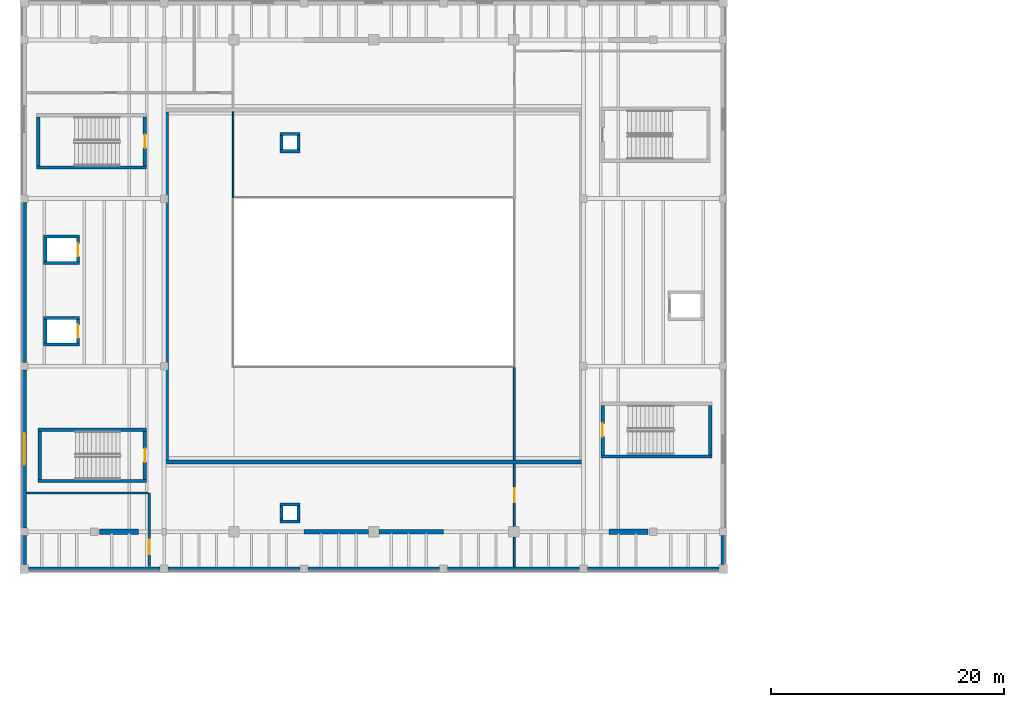
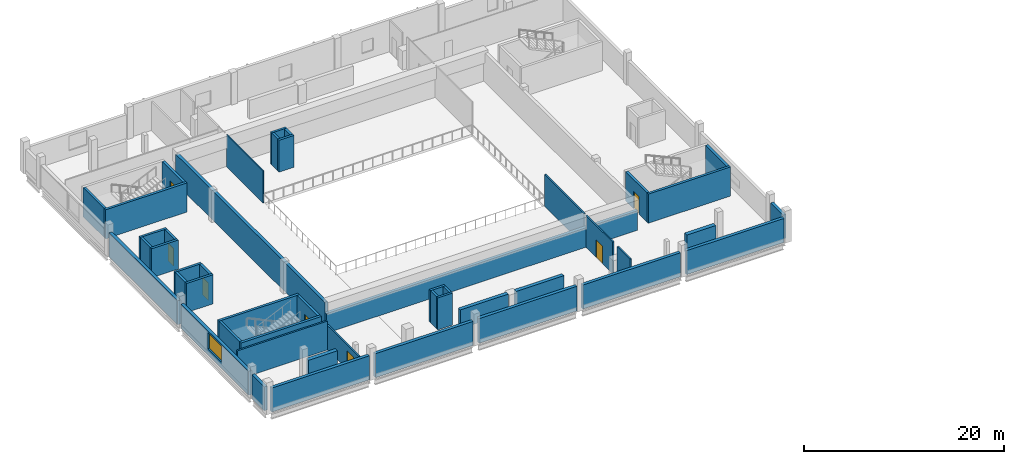
# One storey, part 7 of 19: 47 walls, 7 doors, 1 window, 8 openings.
"""IFC4 building model written with IfcOpenShell, lengths in metres."""

from ifc_helpers import new_model, si_unit, direction, frame, frame_2d, origin, place, context, subcontext, project, spatial, rectangle, extrude, material, layer, layer_set, type_object, element, fill, save


model = new_model("IFC4")

# Units and contexts
model_context = context("Model", 3, precision=1e-05, world=origin(), true_north=direction((0.0, 1.0)))
body_context = subcontext(model_context, "Body", "Model", "MODEL_VIEW")
ifc_project = project(units=[si_unit("LENGTHUNIT", "METRE"), si_unit("AREAUNIT", "SQUARE_METRE"), si_unit("VOLUMEUNIT", "CUBIC_METRE"), si_unit("PLANEANGLEUNIT", "RADIAN"), si_unit("MASSUNIT", "GRAM", prefix="KILO")], contexts=[model_context])

# Site, building, storey
site_placement = place(None, origin())
site = spatial("IfcSite", under=ifc_project, at=site_placement, CompositionType="ELEMENT")
building_placement = place(site_placement, origin())
building = spatial("IfcBuilding", under=site, at=building_placement, Name="Kelmvaro Bay Concert Hall", CompositionType="ELEMENT")
storey_placement = place(building_placement, frame((0.0, 0.0, 18.300048828125)))
storey = spatial("IfcBuildingStorey", under=building, at=storey_placement, Name="L04", CompositionType="ELEMENT", Elevation=18.300048828125)

# Wall
ifc_material_1 = material(Name="Acoustic Gypsum Board on Galvanised Steel Studs", Category="steel")
ifc_layer_1 = layer(ifc_material_1, 0.169921875)
ifc_layer_set_1 = layer_set([ifc_layer_1], Name="Acoustic Gypsum Board on Galvanised Steel Studs")
wall_type_1 = type_object("IfcWallType", Name="Corridor Fire Compartment Partition 170", PredefinedType="PARTITIONING", material=ifc_layer_set_1)
wall_1_placement = place(storey_placement, frame((42.080078125, 65.590087890625, 0.0), z_axis=(0.0, 0.0, 1.0), x_axis=(0.0, 1.0, 0.0)))
element("IfcWall", 1, at=wall_1_placement, inside=storey, type_object=wall_type_1, Name="L04 Interior Partition PT-L04-0332", PredefinedType="PARTITIONING", context=body_context, shape_type="SweptSolid", body=[
    extrude(rectangle(XDim=2.531982421875, YDim=0.169921875, at=frame_2d((1.26611328125, 0.0))), origin(), (0.0, 0.0, 1.0), 3.89990234375),
])

# Wall, opening, door
wall_2_placement = place(storey_placement, frame((42.080078125, 69.0380859375, 0.0), z_axis=(0.0, 0.0, 1.0), x_axis=(0.0, 1.0, 0.0)))
wall_2 = element("IfcWall", 2, at=wall_2_placement, inside=storey, type_object=wall_type_1, Name="L04 Interior Partition PT-L04-0333", PredefinedType="PARTITIONING", context=body_context, shape_type="SweptSolid", body=[
    extrude(rectangle(XDim=5.35693359375, YDim=0.169921875, at=frame_2d((2.678466796875, 0.0))), origin(), (0.0, 0.0, 1.0), 3.89990234375),
])
opening_1_placement = place(wall_2_placement, frame((2.068603515625, 0.0, 0.0)))
opening_1 = element("IfcOpeningElement", 3, at=opening_1_placement, cuts=wall_2, Name="Opening ID-ST2", PredefinedType="OPENING", context=body_context, shape_type="SweptSolid", body=[
    extrude(rectangle(XDim=1.219970703125, YDim=2.179931640625, at=frame_2d((0.60986328125, 1.08984375))), frame((0.0, 0.094970703125, 0.0), z_axis=(0.0, -1.0, 0.0), x_axis=(1.0, 0.0, 0.0)), (0.0, 0.0, 1.0), 0.18994140625),
])
ifc_material_2 = material(Name="Acoustic Oak and Fire Glass", Category="glass")
door_type_1 = type_object("IfcDoorType", Name="Core Lobby Smoke Control Door 1220x2180", OperationType="NOTDEFINED", PredefinedType="DOOR", material=ifc_material_2)
door_1_placement = place(opening_1_placement, origin())
door_1 = element("IfcDoor", 4, at=door_1_placement, inside=storey, type_object=door_type_1, Name="L04 Interior Door DR-INT-L04-0196", OperationType="SINGLE_SWING_RIGHT", OverallHeight=2.179931640625, OverallWidth=1.219970703125, PredefinedType="DOOR", context=body_context, shape_type="SweptSolid", body=[
    extrude(rectangle(XDim=1.219970703125, YDim=2.179931640625, at=frame_2d((0.60986328125, 1.08984375))), frame((0.0, 0.02490234375, 0.0), z_axis=(0.0, -1.0, 0.0), x_axis=(1.0, 0.0, 0.0)), (0.0, 0.0, 1.0), 0.050048828125),
])
fill(opening_1, door_1)

# Wall
wall_3_placement = place(storey_placement, frame((42.080078125, 74.764892578125, 0.0), z_axis=(0.0, 0.0, 1.0), x_axis=(0.0, 1.0, 0.0)))
element("IfcWall", 5, at=wall_3_placement, inside=storey, type_object=wall_type_1, Name="L04 Interior Partition PT-L04-0334", PredefinedType="PARTITIONING", context=body_context, shape_type="SweptSolid", body=[
    extrude(rectangle(XDim=7.920166015625, YDim=0.169921875, at=frame_2d((3.9599609375, 0.0))), origin(), (0.0, 0.0, 1.0), 3.89990234375),
])

# Wall, opening, door
ifc_material_3 = material(Name="Acoustic Gypsum Board on Galvanised Steel Studs", Category="steel")
ifc_layer_2 = layer(ifc_material_3, 0.199951171875)
ifc_layer_set_2 = layer_set([ifc_layer_2], Name="Acoustic Gypsum Board on Galvanised Steel Studs")
wall_type_2 = type_object("IfcWallType", Name="Double-Stud Acoustic Studio Partition 200", PredefinedType="PARTITIONING", material=ifc_layer_set_2)
wall_4_placement = place(storey_placement, frame((10.719970703125, 65.590087890625, 0.0), z_axis=(0.0, 0.0, 1.0), x_axis=(0.0, 1.0, 0.0)))
wall_4 = element("IfcWall", 6, at=wall_4_placement, inside=storey, type_object=wall_type_2, Name="L04 Interior Partition PT-L04-0331", PredefinedType="PARTITIONING", context=body_context, shape_type="SweptSolid", body=[
    extrude(rectangle(XDim=6.3349609375, YDim=0.199951171875, at=frame_2d((3.16748046875, 0.0))), origin(), (0.0, 0.0, 1.0), 2.995849609375),
])
opening_2_placement = place(wall_4_placement, frame((1.046875, 0.0, 0.0)))
opening_2 = element("IfcOpeningElement", 7, at=opening_2_placement, cuts=wall_4, Name="Opening ID-ST3", PredefinedType="OPENING", context=body_context, shape_type="SweptSolid", body=[
    extrude(rectangle(XDim=1.280029296875, YDim=2.260009765625, at=frame_2d((0.64013671875, 1.1298828125))), frame((0.0, 0.10986328125, 0.0), z_axis=(0.0, -1.0, 0.0), x_axis=(1.0, 0.0, 0.0)), (0.0, 0.0, 1.0), 0.219970703125),
])
ifc_material_4 = material(Name="Acoustic Laminated Steel Core", Category="steel")
door_type_2 = type_object("IfcDoorType", Name="Soundtrack Studio Heavy Door 1280x2260", OperationType="NOTDEFINED", PredefinedType="DOOR", material=ifc_material_4)
door_2_placement = place(opening_2_placement, origin())
door_2 = element("IfcDoor", 8, at=door_2_placement, inside=storey, type_object=door_type_2, Name="L04 Interior Door DR-INT-L04-0195", OperationType="SINGLE_SWING_LEFT", OverallHeight=2.260009765625, OverallWidth=1.280029296875, PredefinedType="DOOR", context=body_context, shape_type="SweptSolid", body=[
    extrude(rectangle(XDim=1.280029296875, YDim=2.260009765625, at=frame_2d((0.64013671875, 1.1298828125))), frame((0.0, 0.02490234375, 0.0), z_axis=(0.0, -1.0, 0.0), x_axis=(1.0, 0.0, 0.0)), (0.0, 0.0, 1.0), 0.050048828125),
])
fill(opening_2, door_2)

# Walls
wall_5_placement = place(storey_placement, frame((0.18994140625, 71.919921875, 0.0), z_axis=(0.0, 0.0, 1.0), x_axis=(1.0, 0.0, 0.0)))
element("IfcWall", 9, at=wall_5_placement, inside=storey, type_object=wall_type_2, Name="L04 Interior Partition PT-L04-0343", PredefinedType="PARTITIONING", context=body_context, shape_type="SweptSolid", body=[
    extrude(rectangle(XDim=10.420166015625, YDim=0.199951171875, at=frame_2d((5.2099609375, 0.0))), origin(), (0.0, 0.0, 1.0), 3.5400390625),
])
ifc_material_5 = material(Name="Concrete C40/50", Category="concrete")
ifc_layer_3 = layer(ifc_material_5, 0.35009765625)
ifc_layer_set_3 = layer_set([ifc_layer_3], Name="Concrete C40/50")
wall_type_3 = type_object("IfcWallType", Name="Inner Floating Box Shear Wall 350", PredefinedType="SHEAR", material=ifc_layer_set_3)
wall_6_placement = place(storey_placement, frame((12.0048828125, 74.580078125, 0.0), z_axis=(0.0, 0.0, 1.0), x_axis=(1.0, 0.0, 0.0)))
element("IfcWall", 10, at=wall_6_placement, inside=storey, type_object=wall_type_3, Name="L04 V1 Acoustic Inner Box Wall S", PredefinedType="SHEAR", context=body_context, shape_type="SweptSolid", body=[
    extrude(rectangle(XDim=35.990234375, YDim=0.35009765625, at=frame_2d((17.9951171875, 0.0))), origin(), (0.0, 0.0, 1.0), 2.389892578125),
])
wall_7_placement = place(storey_placement, frame((12.179931640625, 74.7548828125, 0.0), z_axis=(0.0, 0.0, 1.0), x_axis=(0.0, 1.0, 0.0)))
element("IfcWall", 11, at=wall_7_placement, inside=storey, type_object=wall_type_3, Name="L04 V1 Acoustic Inner Box Wall W", PredefinedType="SHEAR", context=body_context, shape_type="SweptSolid", body=[
    extrude(rectangle(XDim=29.89013671875, YDim=0.35009765625, at=frame_2d((14.945068359375, 0.0))), origin(), (0.0, 0.0, 1.0), 3.56005859375),
])
ifc_material_6 = material(Name="Precast Concrete C40/50", Category="concrete")
ifc_layer_4 = layer(ifc_material_6, 0.340087890625)
ifc_layer_set_4 = layer_set([ifc_layer_4], Name="Precast Concrete C40/50")
wall_type_4 = type_object("IfcWallType", Name="Main Hall Faceted Precast Wall 340", PredefinedType="SOLIDWALL", material=ifc_layer_set_4)
wall_8_placement = place(storey_placement, frame((60.0, 68.2548828125, 0.0), z_axis=(0.0, 0.0, 1.0), x_axis=(0.0, -1.0, 0.0)))
element("IfcWall", 12, at=wall_8_placement, inside=storey, type_object=wall_type_4, Name="L04 Exterior Wall EW-L04-0073", PredefinedType="SOLIDWALL", context=body_context, shape_type="SweptSolid", body=[
    extrude(rectangle(XDim=2.47998046875, YDim=0.340087890625, at=frame_2d((1.239990234375, 0.0))), origin(), (0.0, 0.0, 1.0), 2.927978515625),
])
ifc_material_7 = material(Name="Concrete C40/50", Category="concrete")
ifc_layer_5 = layer(ifc_material_7, 0.449951171875)
ifc_layer_set_5 = layer_set([ifc_layer_5], Name="Concrete C40/50")
wall_type_5 = type_object("IfcWallType", Name="Outer Acoustic Box Shear Wall 450", PredefinedType="SHEAR", material=ifc_layer_set_5)
for number, where, z_axis, x_axis, name in (
    (13, (6.449951171875, 68.580078125, 0.0), (0.0, 0.0, 1.0), (1.0, 0.0, 0.0), "L04 Shell Springing Shear Wall S1"),
    (14, (50.199951171875, 68.580078125, 0.0), (0.0, 0.0, 1.0), (1.0, 0.0, 0.0), "L04 Shell Springing Shear Wall S4"),
):
    element("IfcWall", number, at=place(storey_placement, frame(where, z_axis=z_axis, x_axis=x_axis)), inside=storey, type_object=wall_type_5, Name=name, PredefinedType="SHEAR", context=body_context, shape_type="SweptSolid", body=[
        extrude(rectangle(XDim=3.35009765625, YDim=0.449951171875, at=frame_2d((1.675048828125, 0.0))), origin(), (0.0, 0.0, 1.0), 2.300048828125),
    ])
ifc_material_8 = material(Name="Concrete C40/50", Category="concrete")
ifc_layer_6 = layer(ifc_material_8, 0.27001953125)
ifc_layer_set_6 = layer_set([ifc_layer_6], Name="Concrete C40/50")
wall_type_6 = type_object("IfcWallType", Name="Secondary Shaft Shear Wall 270", PredefinedType="SHEAR", material=ifc_layer_set_6)
for number, where, z_axis, x_axis, name in (
    (15, (21.929931640625, 69.465087890625, 0.0), (0.0, 0.0, 1.0), (1.0, 0.0, 0.0), "L04 Service Riser Shaft Wall 157-S"),
    (16, (21.929931640625, 70.93505859375, 0.0), (0.0, 0.0, 1.0), (1.0, 0.0, 0.0), "L04 Service Riser Shaft Wall 158-N"),
):
    element("IfcWall", number, at=place(storey_placement, frame(where, z_axis=z_axis, x_axis=x_axis)), inside=storey, type_object=wall_type_6, Name=name, PredefinedType="SHEAR", context=body_context, shape_type="SweptSolid", body=[
        extrude(rectangle(XDim=1.739990234375, YDim=0.27001953125, at=frame_2d((0.8701171875, 0.0))), origin(), (0.0, 0.0, 1.0), 3.89990234375),
    ])
for number, where, z_axis, x_axis, name in (
    (17, (22.06494140625, 69.60009765625, 0.0), (0.0, 0.0, 1.0), (0.0, 1.0, 0.0), "L04 Service Riser Shaft Wall 159-W"),
    (18, (23.534912109375, 69.60009765625, 0.0), (0.0, 0.0, 1.0), (0.0, 1.0, 0.0), "L04 Service Riser Shaft Wall 160-E"),
):
    element("IfcWall", number, at=place(storey_placement, frame(where, z_axis=z_axis, x_axis=x_axis)), inside=storey, type_object=wall_type_6, Name=name, PredefinedType="SHEAR", context=body_context, shape_type="SweptSolid", body=[
        extrude(rectangle(XDim=1.199951171875, YDim=0.27001953125, at=frame_2d((0.60009765625, 0.0))), origin(), (0.0, 0.0, 1.0), 3.89990234375),
    ])
for number, where, z_axis, x_axis, name in (
    (19, (21.929931640625, 101.264892578125, 0.0), (0.0, 0.0, 1.0), (1.0, 0.0, 0.0), "L04 Service Riser Shaft Wall 161-S"),
    (20, (21.929931640625, 102.735107421875, 0.0), (0.0, 0.0, 1.0), (1.0, 0.0, 0.0), "L04 Service Riser Shaft Wall 162-N"),
):
    element("IfcWall", number, at=place(storey_placement, frame(where, z_axis=z_axis, x_axis=x_axis)), inside=storey, type_object=wall_type_6, Name=name, PredefinedType="SHEAR", context=body_context, shape_type="SweptSolid", body=[
        extrude(rectangle(XDim=1.739990234375, YDim=0.27001953125, at=frame_2d((0.8701171875, 0.0))), origin(), (0.0, 0.0, 1.0), 3.89990234375),
    ])
for number, where, z_axis, x_axis, name in (
    (21, (22.06494140625, 101.39990234375, 0.0), (0.0, 0.0, 1.0), (0.0, 1.0, 0.0), "L04 Service Riser Shaft Wall 163-W"),
    (22, (23.534912109375, 101.39990234375, 0.0), (0.0, 0.0, 1.0), (0.0, 1.0, 0.0), "L04 Service Riser Shaft Wall 164-E"),
):
    element("IfcWall", number, at=place(storey_placement, frame(where, z_axis=z_axis, x_axis=x_axis)), inside=storey, type_object=wall_type_6, Name=name, PredefinedType="SHEAR", context=body_context, shape_type="SweptSolid", body=[
        extrude(rectangle(XDim=1.2001953125, YDim=0.27001953125, at=frame_2d((0.60009765625, 0.0))), origin(), (0.0, 0.0, 1.0), 3.89990234375),
    ])
for number, where, z_axis, x_axis, name in (
    (23, (1.655029296875, 84.6650390625, 0.0), (0.0, 0.0, 1.0), (1.0, 0.0, 0.0), "L04 LF-01 Lift Shaft Wall S"),
    (24, (1.655029296875, 86.93505859375, 0.0), (0.0, 0.0, 1.0), (1.0, 0.0, 0.0), "L04 LF-01 Lift Shaft Wall N"),
):
    element("IfcWall", number, at=place(storey_placement, frame(where, z_axis=z_axis, x_axis=x_axis)), inside=storey, type_object=wall_type_6, Name=name, PredefinedType="SHEAR", context=body_context, shape_type="SweptSolid", body=[
        extrude(rectangle(XDim=3.090087890625, YDim=0.27001953125, at=frame_2d((1.544921875, 0.0))), origin(), (0.0, 0.0, 1.0), 3.56005859375),
    ])
wall_9_placement = place(storey_placement, frame((1.7900390625, 84.800048828125, 0.0), z_axis=(0.0, 0.0, 1.0), x_axis=(0.0, 1.0, 0.0)))
element("IfcWall", 25, at=wall_9_placement, inside=storey, type_object=wall_type_6, Name="L04 LF-01 Lift Shaft Wall W", PredefinedType="SHEAR", context=body_context, shape_type="SweptSolid", body=[
    extrude(rectangle(XDim=2.0, YDim=0.27001953125, at=frame_2d((1.0, 0.0))), origin(), (0.0, 0.0, 1.0), 3.56005859375),
])

# Wall, opening, door
wall_10_placement = place(storey_placement, frame((4.610107421875, 84.800048828125, 0.0), z_axis=(0.0, 0.0, 1.0), x_axis=(0.0, 1.0, 0.0)))
wall_10 = element("IfcWall", 26, at=wall_10_placement, inside=storey, type_object=wall_type_6, Name="L04 LF-01 Lift Shaft Wall E", PredefinedType="SHEAR", context=body_context, shape_type="SweptSolid", body=[
    extrude(rectangle(XDim=2.0, YDim=0.27001953125, at=frame_2d((1.0, 0.0))), origin(), (0.0, 0.0, 1.0), 3.56005859375),
])
opening_3_placement = place(wall_10_placement, frame((0.43994140625, 0.0, 0.0)))
opening_3 = element("IfcOpeningElement", 27, at=opening_3_placement, cuts=wall_10, Name="Opening LD-112", PredefinedType="OPENING", context=body_context, shape_type="SweptSolid", body=[
    extrude(rectangle(XDim=1.1201171875, YDim=2.14990234375, at=frame_2d((0.56005859375, 1.074951171875))), frame((0.0, 0.14501953125, 0.0), z_axis=(0.0, -1.0, 0.0), x_axis=(1.0, 0.0, 0.0)), (0.0, 0.0, 1.0), 0.2900390625),
])
ifc_material_9 = material(Name="Brushed Stainless Steel 316", Category="steel")
door_type_3 = type_object("IfcDoorType", Name="Passenger Lift Sliding Landing Door 1120x2150", OperationType="NOTDEFINED", PredefinedType="DOOR", material=ifc_material_9)
door_3_placement = place(opening_3_placement, origin())
door_3 = element("IfcDoor", 28, at=door_3_placement, inside=storey, type_object=door_type_3, Name="L04 Lift Landing Door LF-01", OperationType="SLIDING_TO_LEFT", OverallHeight=2.14990234375, OverallWidth=1.1201171875, PredefinedType="DOOR", context=body_context, shape_type="SweptSolid", body=[
    extrude(rectangle(XDim=1.1201171875, YDim=2.14990234375, at=frame_2d((0.56005859375, 1.074951171875))), frame((0.0, 0.02490234375, 0.0), z_axis=(0.0, -1.0, 0.0), x_axis=(1.0, 0.0, 0.0)), (0.0, 0.0, 1.0), 0.050048828125),
])
fill(opening_3, door_3)

# Walls
for number, where, z_axis, x_axis, name in (
    (29, (1.655029296875, 91.6650390625, 0.0), (0.0, 0.0, 1.0), (1.0, 0.0, 0.0), "L04 LF-02 Lift Shaft Wall S"),
    (30, (1.655029296875, 93.93505859375, 0.0), (0.0, 0.0, 1.0), (1.0, 0.0, 0.0), "L04 LF-02 Lift Shaft Wall N"),
):
    element("IfcWall", number, at=place(storey_placement, frame(where, z_axis=z_axis, x_axis=x_axis)), inside=storey, type_object=wall_type_6, Name=name, PredefinedType="SHEAR", context=body_context, shape_type="SweptSolid", body=[
        extrude(rectangle(XDim=3.090087890625, YDim=0.27001953125, at=frame_2d((1.544921875, 0.0))), origin(), (0.0, 0.0, 1.0), 3.56005859375),
    ])
wall_11_placement = place(storey_placement, frame((1.7900390625, 91.800048828125, 0.0), z_axis=(0.0, 0.0, 1.0), x_axis=(0.0, 1.0, 0.0)))
element("IfcWall", 31, at=wall_11_placement, inside=storey, type_object=wall_type_6, Name="L04 LF-02 Lift Shaft Wall W", PredefinedType="SHEAR", context=body_context, shape_type="SweptSolid", body=[
    extrude(rectangle(XDim=2.0, YDim=0.27001953125, at=frame_2d((1.0, 0.0))), origin(), (0.0, 0.0, 1.0), 3.56005859375),
])

# Wall, opening, door
wall_12_placement = place(storey_placement, frame((4.610107421875, 91.800048828125, 0.0), z_axis=(0.0, 0.0, 1.0), x_axis=(0.0, 1.0, 0.0)))
wall_12 = element("IfcWall", 32, at=wall_12_placement, inside=storey, type_object=wall_type_6, Name="L04 LF-02 Lift Shaft Wall E", PredefinedType="SHEAR", context=body_context, shape_type="SweptSolid", body=[
    extrude(rectangle(XDim=2.0, YDim=0.27001953125, at=frame_2d((1.0, 0.0))), origin(), (0.0, 0.0, 1.0), 3.56005859375),
])
opening_4_placement = place(wall_12_placement, frame((0.43994140625, 0.0, 0.0)))
opening_4 = element("IfcOpeningElement", 33, at=opening_4_placement, cuts=wall_12, Name="Opening LD-112", PredefinedType="OPENING", context=body_context, shape_type="SweptSolid", body=[
    extrude(rectangle(XDim=1.1201171875, YDim=2.14990234375, at=frame_2d((0.56005859375, 1.074951171875))), frame((0.0, 0.14501953125, 0.0), z_axis=(0.0, -1.0, 0.0), x_axis=(1.0, 0.0, 0.0)), (0.0, 0.0, 1.0), 0.2900390625),
])
door_4_placement = place(opening_4_placement, origin())
door_4 = element("IfcDoor", 34, at=door_4_placement, inside=storey, type_object=door_type_3, Name="L04 Lift Landing Door LF-02", OperationType="SLIDING_TO_LEFT", OverallHeight=2.14990234375, OverallWidth=1.1201171875, PredefinedType="DOOR", context=body_context, shape_type="SweptSolid", body=[
    extrude(rectangle(XDim=1.1201171875, YDim=2.14990234375, at=frame_2d((0.56005859375, 1.074951171875))), frame((0.0, 0.02490234375, 0.0), z_axis=(0.0, -1.0, 0.0), x_axis=(1.0, 0.0, 0.0)), (0.0, 0.0, 1.0), 0.050048828125),
])
fill(opening_4, door_4)

# Walls
ifc_material_10 = material(Name="Concrete C40/50", Category="concrete")
ifc_layer_7 = layer(ifc_material_10, 0.409912109375)
ifc_layer_set_7 = layer_set([ifc_layer_7], Name="Concrete C40/50")
wall_type_7 = type_object("IfcWallType", Name="Shell Springing Shear Wall 410", PredefinedType="SHEAR", material=ifc_layer_set_7)
for number, where, z_axis, x_axis, name in (
    (35, (24.0, 68.580078125, 0.0), (0.0, 0.0, 1.0), (1.0, 0.0, 0.0), "L04 Shell Springing Shear Wall S2"),
    (36, (30.449951171875, 68.580078125, 0.0), (0.0, 0.0, 1.0), (1.0, 0.0, 0.0), "L04 Shell Springing Shear Wall S3"),
):
    element("IfcWall", number, at=place(storey_placement, frame(where, z_axis=z_axis, x_axis=x_axis)), inside=storey, type_object=wall_type_7, Name=name, PredefinedType="SHEAR", context=body_context, shape_type="SweptSolid", body=[
        extrude(rectangle(XDim=5.550048828125, YDim=0.409912109375, at=frame_2d((2.77490234375, 0.0))), origin(), (0.0, 0.0, 1.0), 2.300048828125),
    ])
ifc_material_11 = material(Name="Concrete C40/50", Category="concrete")
ifc_layer_8 = layer(ifc_material_11, 0.2900390625)
ifc_layer_set_8 = layer_set([ifc_layer_8], Name="Concrete C40/50")
wall_type_8 = type_object("IfcWallType", Name="Stair and Lift Core Shear Wall 290", PredefinedType="SHEAR", material=ifc_layer_set_8)
for number, where, z_axis, x_axis, name in (
    (37, (1.159912109375, 72.945068359375, 0.0), (0.0, 0.0, 1.0), (1.0, 0.0, 0.0), "L04 ST-01 Core Shear Wall S"),
    (38, (1.159912109375, 77.344970703125, 0.0), (0.0, 0.0, 1.0), (1.0, 0.0, 0.0), "L04 ST-01 Core Shear Wall N"),
):
    element("IfcWall", number, at=place(storey_placement, frame(where, z_axis=z_axis, x_axis=x_axis)), inside=storey, type_object=wall_type_8, Name=name, PredefinedType="SHEAR", context=body_context, shape_type="SweptSolid", body=[
        extrude(rectangle(XDim=9.330078125, YDim=0.2900390625, at=frame_2d((4.6650390625, 0.0))), origin(), (0.0, 0.0, 1.0), 3.56005859375),
    ])
wall_13_placement = place(storey_placement, frame((1.304931640625, 73.090087890625, 0.0), z_axis=(0.0, 0.0, 1.0), x_axis=(0.0, 1.0, 0.0)))
element("IfcWall", 39, at=wall_13_placement, inside=storey, type_object=wall_type_8, Name="L04 ST-01 Core Shear Wall W", PredefinedType="SHEAR", context=body_context, shape_type="SweptSolid", body=[
    extrude(rectangle(XDim=4.10986328125, YDim=0.2900390625, at=frame_2d((2.054931640625, 0.0))), origin(), (0.0, 0.0, 1.0), 3.56005859375),
])

# Wall, opening, door
wall_14_placement = place(storey_placement, frame((10.344970703125, 73.090087890625, 0.0), z_axis=(0.0, 0.0, 1.0), x_axis=(0.0, 1.0, 0.0)))
wall_14 = element("IfcWall", 40, at=wall_14_placement, inside=storey, type_object=wall_type_8, Name="L04 ST-01 Core Shear Wall E", PredefinedType="SHEAR", context=body_context, shape_type="SweptSolid", body=[
    extrude(rectangle(XDim=4.10986328125, YDim=0.2900390625, at=frame_2d((2.054931640625, 0.0))), origin(), (0.0, 0.0, 1.0), 3.56005859375),
])
opening_5_placement = place(wall_14_placement, frame((1.47998046875, 0.0, 0.0)))
opening_5 = element("IfcOpeningElement", 41, at=opening_5_placement, cuts=wall_14, Name="Opening ID-ST1", PredefinedType="OPENING", context=body_context, shape_type="SweptSolid", body=[
    extrude(rectangle(XDim=1.14990234375, YDim=2.14990234375, at=frame_2d((0.574951171875, 1.074951171875))), frame((0.0, 0.155029296875, 0.0), z_axis=(0.0, -1.0, 0.0), x_axis=(1.0, 0.0, 0.0)), (0.0, 0.0, 1.0), 0.31005859375),
])
ifc_material_12 = material(Name="Fire-Rated Galvanised Steel", Category="steel")
door_type_4 = type_object("IfcDoorType", Name="Exit Stair Fire Door 1150x2150", OperationType="NOTDEFINED", PredefinedType="DOOR", material=ifc_material_12)
door_5_placement = place(opening_5_placement, origin())
door_5 = element("IfcDoor", 42, at=door_5_placement, inside=storey, type_object=door_type_4, Name="L04 ST-01 Stair Fire Door", OperationType="SINGLE_SWING_RIGHT", OverallHeight=2.14990234375, OverallWidth=1.14990234375, PredefinedType="DOOR", context=body_context, shape_type="SweptSolid", body=[
    extrude(rectangle(XDim=1.14990234375, YDim=2.14990234375, at=frame_2d((0.574951171875, 1.074951171875))), frame((0.0, 0.02490234375, 0.0), z_axis=(0.0, -1.0, 0.0), x_axis=(1.0, 0.0, 0.0)), (0.0, 0.0, 1.0), 0.050048828125),
])
fill(opening_5, door_5)

# Walls
wall_15_placement = place(storey_placement, frame((1.06005859375, 99.864990234375, 0.0), z_axis=(0.0, 0.0, 1.0), x_axis=(1.0, 0.0, 0.0)))
element("IfcWall", 43, at=wall_15_placement, inside=storey, type_object=wall_type_8, Name="L04 ST-03 Core Shear Wall S", PredefinedType="SHEAR", context=body_context, shape_type="SweptSolid", body=[
    extrude(rectangle(XDim=9.429931640625, YDim=0.2900390625, at=frame_2d((4.71484375, 0.0))), origin(), (0.0, 0.0, 1.0), 3.56005859375),
])
wall_16_placement = place(storey_placement, frame((1.205078125, 100.010009765625, 0.0), z_axis=(0.0, 0.0, 1.0), x_axis=(0.0, 1.0, 0.0)))
element("IfcWall", 44, at=wall_16_placement, inside=storey, type_object=wall_type_8, Name="L04 ST-03 Core Shear Wall W", PredefinedType="SHEAR", context=body_context, shape_type="SweptSolid", body=[
    extrude(rectangle(XDim=4.18994140625, YDim=0.2900390625, at=frame_2d((2.094970703125, 0.0))), origin(), (0.0, 0.0, 1.0), 3.56005859375),
])

# Wall, opening, door
wall_17_placement = place(storey_placement, frame((10.344970703125, 100.010009765625, 0.0), z_axis=(0.0, 0.0, 1.0), x_axis=(0.0, 1.0, 0.0)))
wall_17 = element("IfcWall", 45, at=wall_17_placement, inside=storey, type_object=wall_type_8, Name="L04 ST-03 Core Shear Wall E", PredefinedType="SHEAR", context=body_context, shape_type="SweptSolid", body=[
    extrude(rectangle(XDim=4.18994140625, YDim=0.2900390625, at=frame_2d((2.094970703125, 0.0))), origin(), (0.0, 0.0, 1.0), 3.56005859375),
])
opening_6_placement = place(wall_17_placement, frame((1.52001953125, 0.0, 0.0)))
opening_6 = element("IfcOpeningElement", 46, at=opening_6_placement, cuts=wall_17, Name="Opening ID-ST1", PredefinedType="OPENING", context=body_context, shape_type="SweptSolid", body=[
    extrude(rectangle(XDim=1.14990234375, YDim=2.14990234375, at=frame_2d((0.574951171875, 1.074951171875))), frame((0.0, 0.155029296875, 0.0), z_axis=(0.0, -1.0, 0.0), x_axis=(1.0, 0.0, 0.0)), (0.0, 0.0, 1.0), 0.31005859375),
])
door_6_placement = place(opening_6_placement, origin())
door_6 = element("IfcDoor", 47, at=door_6_placement, inside=storey, type_object=door_type_4, Name="L04 ST-03 Stair Fire Door", OperationType="SINGLE_SWING_RIGHT", OverallHeight=2.14990234375, OverallWidth=1.14990234375, PredefinedType="DOOR", context=body_context, shape_type="SweptSolid", body=[
    extrude(rectangle(XDim=1.14990234375, YDim=2.14990234375, at=frame_2d((0.574951171875, 1.074951171875))), frame((0.0, 0.02490234375, 0.0), z_axis=(0.0, -1.0, 0.0), x_axis=(1.0, 0.0, 0.0)), (0.0, 0.0, 1.0), 0.050048828125),
])
fill(opening_6, door_6)

# Wall
wall_18_placement = place(storey_placement, frame((49.510009765625, 75.054931640625, 0.0), z_axis=(0.0, 0.0, 1.0), x_axis=(1.0, 0.0, 0.0)))
element("IfcWall", 48, at=wall_18_placement, inside=storey, type_object=wall_type_8, Name="L04 ST-04 Core Shear Wall S", PredefinedType="SHEAR", context=body_context, shape_type="SweptSolid", body=[
    extrude(rectangle(XDim=9.530029296875, YDim=0.2900390625, at=frame_2d((4.76513671875, 0.0))), origin(), (0.0, 0.0, 1.0), 3.56005859375),
])

# Wall, opening, door
wall_19_placement = place(storey_placement, frame((49.655029296875, 75.199951171875, 0.0), z_axis=(0.0, 0.0, 1.0), x_axis=(0.0, 1.0, 0.0)))
wall_19 = element("IfcWall", 49, at=wall_19_placement, inside=storey, type_object=wall_type_8, Name="L04 ST-04 Core Shear Wall W", PredefinedType="SHEAR", context=body_context, shape_type="SweptSolid", body=[
    extrude(rectangle(XDim=4.25, YDim=0.2900390625, at=frame_2d((2.125, 0.0))), origin(), (0.0, 0.0, 1.0), 3.56005859375),
])
opening_7_placement = place(wall_19_placement, frame((1.550048828125, 0.0, 0.0)))
opening_7 = element("IfcOpeningElement", 50, at=opening_7_placement, cuts=wall_19, Name="Opening ID-ST1", PredefinedType="OPENING", context=body_context, shape_type="SweptSolid", body=[
    extrude(rectangle(XDim=1.14990234375, YDim=2.14990234375, at=frame_2d((0.574951171875, 1.074951171875))), frame((0.0, 0.155029296875, 0.0), z_axis=(0.0, -1.0, 0.0), x_axis=(1.0, 0.0, 0.0)), (0.0, 0.0, 1.0), 0.31005859375),
])
door_7_placement = place(opening_7_placement, origin())
door_7 = element("IfcDoor", 51, at=door_7_placement, inside=storey, type_object=door_type_4, Name="L04 ST-04 Stair Fire Door", OperationType="SINGLE_SWING_RIGHT", OverallHeight=2.14990234375, OverallWidth=1.14990234375, PredefinedType="DOOR", context=body_context, shape_type="SweptSolid", body=[
    extrude(rectangle(XDim=1.14990234375, YDim=2.14990234375, at=frame_2d((0.574951171875, 1.074951171875))), frame((0.0, 0.02490234375, 0.0), z_axis=(0.0, -1.0, 0.0), x_axis=(1.0, 0.0, 0.0)), (0.0, 0.0, 1.0), 0.050048828125),
])
fill(opening_7, door_7)

# Walls
wall_20_placement = place(storey_placement, frame((58.89501953125, 75.199951171875, 0.0), z_axis=(0.0, 0.0, 1.0), x_axis=(0.0, 1.0, 0.0)))
element("IfcWall", 52, at=wall_20_placement, inside=storey, type_object=wall_type_8, Name="L04 ST-04 Core Shear Wall E", PredefinedType="SHEAR", context=body_context, shape_type="SweptSolid", body=[
    extrude(rectangle(XDim=4.25, YDim=0.2900390625, at=frame_2d((2.125, 0.0))), origin(), (0.0, 0.0, 1.0), 3.56005859375),
])
ifc_material_13 = material(Name="Acoustic Gypsum Board on Galvanised Steel Studs", Category="steel")
ifc_layer_9 = layer(ifc_material_13, 0.1201171875)
ifc_layer_set_9 = layer_set([ifc_layer_9], Name="Acoustic Gypsum Board on Galvanised Steel Studs")
wall_type_9 = type_object("IfcWallType", Name="Standard Architectural Partition 120", PredefinedType="PARTITIONING", material=ifc_layer_set_9)
wall_21_placement = place(storey_placement, frame((17.919921875, 97.25, 0.0), z_axis=(0.0, 0.0, 1.0), x_axis=(0.0, 1.0, 0.0)))
element("IfcWall", 53, at=wall_21_placement, inside=storey, type_object=wall_type_9, Name="L04 Interior Partition PT-L04-0335", PredefinedType="PARTITIONING", context=body_context, shape_type="SweptSolid", body=[
    extrude(rectangle(XDim=7.385009765625, YDim=0.1201171875, at=frame_2d((3.6923828125, 0.0))), origin(), (0.0, 0.0, 1.0), 3.89990234375),
])
ifc_material_14 = material(Name="Precast Concrete C40/50", Category="concrete")
ifc_layer_10 = layer(ifc_material_14, 0.360107421875)
ifc_layer_set_10 = layer_set([ifc_layer_10], Name="Precast Concrete C40/50")
wall_type_10 = type_object("IfcWallType", Name="Travertine Acoustic Precast Wall 360", PredefinedType="SOLIDWALL", material=ifc_layer_set_10)
wall_22_placement = place(storey_placement, frame((0.0, 65.77490234375, 0.0), z_axis=(0.0, 0.0, 1.0), x_axis=(0.0, 1.0, 0.0)))
element("IfcWall", 54, at=wall_22_placement, inside=storey, type_object=wall_type_10, Name="L04 Exterior Wall EW-L04-0067", PredefinedType="SOLIDWALL", context=body_context, shape_type="SweptSolid", body=[
    extrude(rectangle(XDim=2.47998046875, YDim=0.360107421875, at=frame_2d((1.239990234375, 0.0))), origin(), (0.0, 0.0, 1.0), 2.927978515625),
])

# Wall, opening, window
wall_23_placement = place(storey_placement, frame((0.0, 68.905029296875, 0.0), z_axis=(0.0, 0.0, 1.0), x_axis=(0.0, 1.0, 0.0)))
wall_23 = element("IfcWall", 55, at=wall_23_placement, inside=storey, type_object=wall_type_10, Name="L04 Exterior Wall EW-L04-0068", PredefinedType="SOLIDWALL", context=body_context, shape_type="SweptSolid", body=[
    extrude(rectangle(XDim=13.570068359375, YDim=0.360107421875, at=frame_2d((6.78515625, 0.0))), origin(), (0.0, 0.0, 1.0), 2.929931640625),
])
opening_8_placement = place(wall_23_placement, frame((5.43505859375, 0.0, 0.780029296875)))
opening_8 = element("IfcOpeningElement", 56, at=opening_8_placement, cuts=wall_23, Name="Opening WN-07", PredefinedType="OPENING", context=body_context, shape_type="SweptSolid", body=[
    extrude(rectangle(XDim=2.699951171875, YDim=1.949951171875, at=frame_2d((1.35009765625, 0.97509765625))), frame((0.0, 0.18994140625, 0.0), z_axis=(0.0, -1.0, 0.0), x_axis=(1.0, 0.0, 0.0)), (0.0, 0.0, 1.0), 0.380126953125),
])
ifc_material_15 = material(Name="Thermally Broken Aluminium and Acoustic Low-E Glass", Category="aluminium")
window_type = type_object("IfcWindowType", Name="Classroom Mullion Window 2700x1950", PartitioningType="SINGLE_PANEL", PredefinedType="WINDOW", material=ifc_material_15)
window_placement = place(opening_8_placement, origin())
window = element("IfcWindow", 57, at=window_placement, inside=storey, type_object=window_type, Name="L04 Facade Window WN-L04-0035", OverallHeight=1.949951171875, OverallWidth=2.699951171875, PartitioningType="SINGLE_PANEL", PredefinedType="WINDOW", context=body_context, shape_type="SweptSolid", body=[
    extrude(rectangle(XDim=2.699951171875, YDim=1.949951171875, at=frame_2d((1.35009765625, 0.97509765625))), frame((0.0, 0.030029296875, 0.0), z_axis=(0.0, -1.0, 0.0), x_axis=(1.0, 0.0, 0.0)), (0.0, 0.0, 1.0), 0.06005859375),
])
fill(opening_8, window)

# Walls
wall_24_placement = place(storey_placement, frame((0.0, 83.125, 0.0), z_axis=(0.0, 0.0, 1.0), x_axis=(0.0, 1.0, 0.0)))
element("IfcWall", 58, at=wall_24_placement, inside=storey, type_object=wall_type_10, Name="L04 Exterior Wall EW-L04-0069", PredefinedType="SOLIDWALL", context=body_context, shape_type="SweptSolid", body=[
    extrude(rectangle(XDim=13.75, YDim=0.360107421875, at=frame_2d((6.875, 0.0))), origin(), (0.0, 0.0, 1.0), 2.929931640625),
])
wall_25_placement = place(storey_placement, frame((11.64990234375, 65.39990234375, 0.0), z_axis=(0.0, 0.0, 1.0), x_axis=(-1.0, 0.0, 0.0)))
element("IfcWall", 59, at=wall_25_placement, inside=storey, type_object=wall_type_10, Name="L04 Exterior Wall EW-L04-0077", PredefinedType="SOLIDWALL", context=body_context, shape_type="SweptSolid", body=[
    extrude(rectangle(XDim=11.27490234375, YDim=0.360107421875, at=frame_2d((5.637451171875, 0.0))), origin(), (0.0, 0.0, 1.0), 2.928955078125),
])
wall_26_placement = place(storey_placement, frame((23.64990234375, 65.39990234375, 0.0), z_axis=(0.0, 0.0, 1.0), x_axis=(-1.0, 0.0, 0.0)))
element("IfcWall", 60, at=wall_26_placement, inside=storey, type_object=wall_type_10, Name="L04 Exterior Wall EW-L04-0078", PredefinedType="SOLIDWALL", context=body_context, shape_type="SweptSolid", body=[
    extrude(rectangle(XDim=11.2998046875, YDim=0.360107421875, at=frame_2d((5.64990234375, 0.0))), origin(), (0.0, 0.0, 1.0), 2.928955078125),
])
wall_27_placement = place(storey_placement, frame((35.64990234375, 65.39990234375, 0.0), z_axis=(0.0, 0.0, 1.0), x_axis=(-1.0, 0.0, 0.0)))
element("IfcWall", 61, at=wall_27_placement, inside=storey, type_object=wall_type_10, Name="L04 Exterior Wall EW-L04-0079", PredefinedType="SOLIDWALL", context=body_context, shape_type="SweptSolid", body=[
    extrude(rectangle(XDim=11.2998046875, YDim=0.360107421875, at=frame_2d((5.64990234375, 0.0))), origin(), (0.0, 0.0, 1.0), 3.029052734375),
])
wall_28_placement = place(storey_placement, frame((47.64990234375, 65.39990234375, 0.0), z_axis=(0.0, 0.0, 1.0), x_axis=(-1.0, 0.0, 0.0)))
element("IfcWall", 62, at=wall_28_placement, inside=storey, type_object=wall_type_10, Name="L04 Exterior Wall EW-L04-0080", PredefinedType="SOLIDWALL", context=body_context, shape_type="SweptSolid", body=[
    extrude(rectangle(XDim=11.2998046875, YDim=0.360107421875, at=frame_2d((5.64990234375, 0.0))), origin(), (0.0, 0.0, 1.0), 2.928955078125),
])
wall_29_placement = place(storey_placement, frame((59.625, 65.39990234375, 0.0), z_axis=(0.0, 0.0, 1.0), x_axis=(-1.0, 0.0, 0.0)))
element("IfcWall", 63, at=wall_29_placement, inside=storey, type_object=wall_type_10, Name="L04 Exterior Wall EW-L04-0081", PredefinedType="SOLIDWALL", context=body_context, shape_type="SweptSolid", body=[
    extrude(rectangle(XDim=11.27490234375, YDim=0.360107421875, at=frame_2d((5.637451171875, 0.0))), origin(), (0.0, 0.0, 1.0), 2.928955078125),
])

save(model, "model.ifc")
